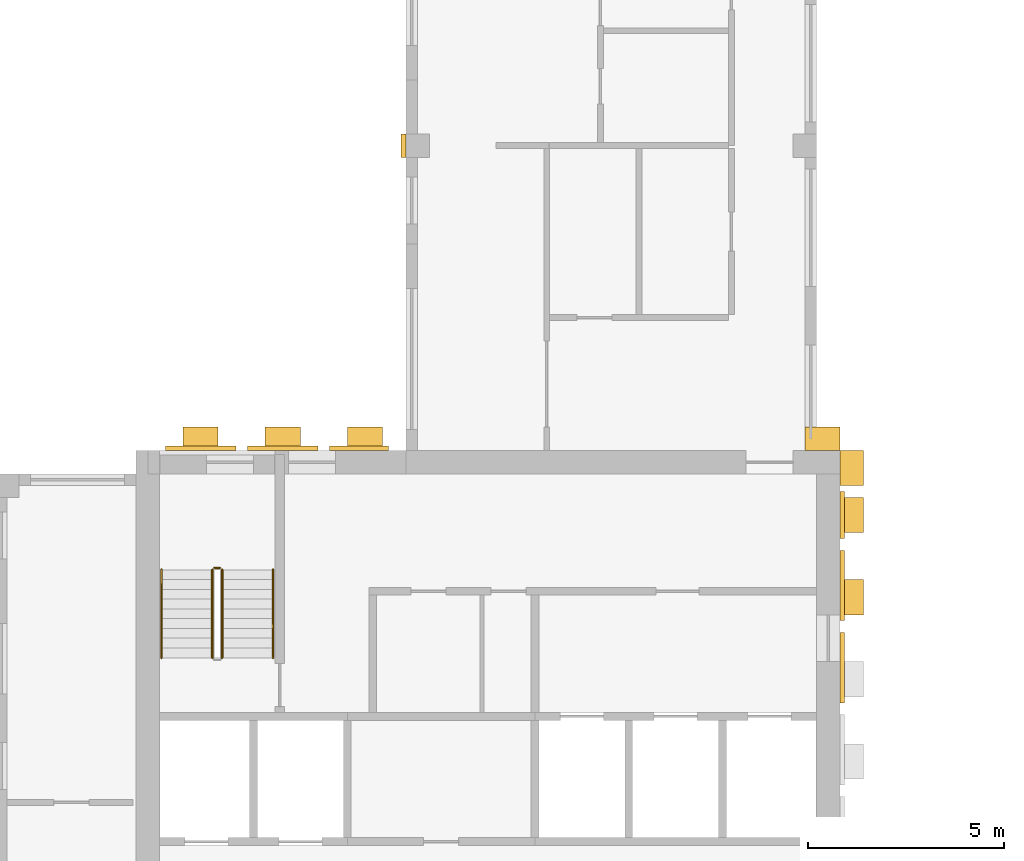
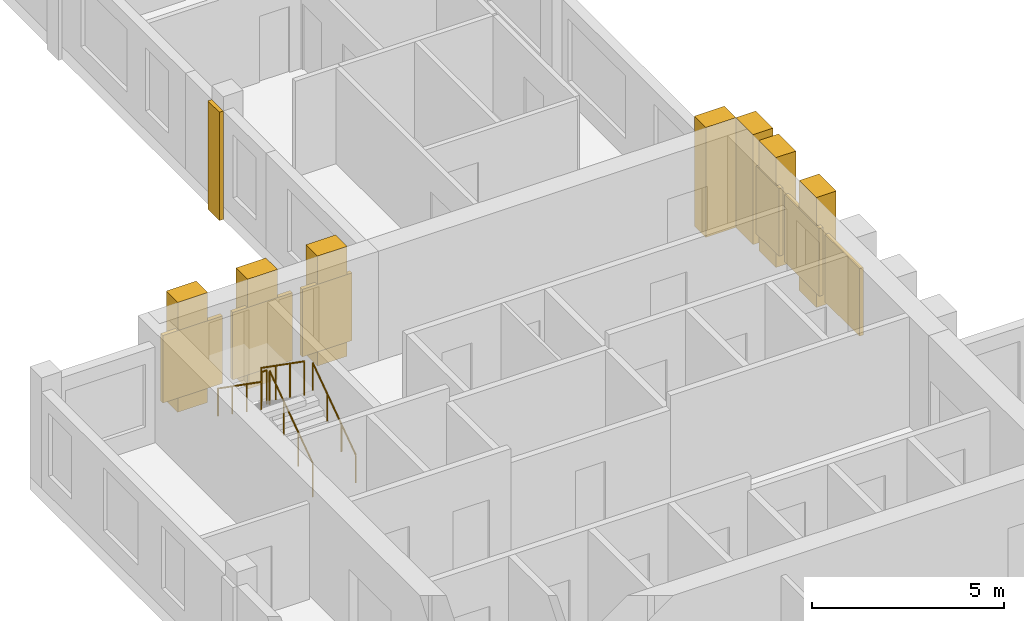
# One storey, part 8 of 10: 14 coverings, 5 railings.
"""IFC4 building model written with IfcOpenShell, lengths in metres."""

from ifc_helpers import new_model, si_unit, direction, frame, origin, origin_2d, place, context, subcontext, project, spatial, rectangle, circle, extrude, source, transform, mapped, material, type_object, element, save


model = new_model("IFC4")

# Units and contexts
model_context = context("Model", 3, precision=1e-05, world=origin(), true_north=direction((0.0, 1.0)))
body_context = subcontext(model_context, "Body", "Model", "MODEL_VIEW")
ifc_project = project(units=[si_unit("LENGTHUNIT", "METRE"), si_unit("AREAUNIT", "SQUARE_METRE"), si_unit("VOLUMEUNIT", "CUBIC_METRE"), si_unit("PLANEANGLEUNIT", "RADIAN"), si_unit("MASSUNIT", "GRAM", prefix="KILO")], contexts=[model_context])

# Site, building, storey
site_placement = place(None, origin())
site = spatial("IfcSite", under=ifc_project, at=site_placement, CompositionType="ELEMENT")
building_placement = place(site_placement, origin())
building = spatial("IfcBuilding", under=site, at=building_placement, Name="Aurelian Terraces", CompositionType="ELEMENT")
storey_placement = place(building_placement, frame((0.0, 0.0, 365.0)))
storey = spatial("IfcBuildingStorey", under=building, at=storey_placement, Name="L87", CompositionType="ELEMENT", Elevation=365.0)

# Coverings
ifc_material_1 = material(Name="Terracotta rainscreen cladding louvre blades", Category="masonry")
covering_type_1 = type_object("IfcCoveringType", Name="LOUVRE-TC", PredefinedType="CLADDING", material=ifc_material_1)
covering_1_placement = place(storey_placement, frame((21.66, 19.95, 0.45), z_axis=(0.0, 0.0, 1.0), x_axis=(1.0, 0.0, 0.0)))
element("IfcCovering", 1, at=covering_1_placement, inside=storey, type_object=covering_type_1, Name="LOUVRE L87 core face E.5", PredefinedType="CLADDING", context=body_context, shape_type="SweptSolid", body=[
    extrude(rectangle(XDim=0.12, YDim=1.2, at=origin_2d()), origin(), (0.0, 0.0, 1.0), 2.15),
])
covering_2_placement = place(storey_placement, frame((5.25, 21.66, 0.45), z_axis=(0.0, 0.0, 1.0), x_axis=(1.0, 0.0, 0.0)))
element("IfcCovering", 2, at=covering_2_placement, inside=storey, type_object=covering_type_1, Name="LOUVRE L87 core face N.1", PredefinedType="CLADDING", context=body_context, shape_type="SweptSolid", body=[
    extrude(rectangle(XDim=1.8, YDim=0.12, at=origin_2d()), origin(), (0.0, 0.0, 1.0), 2.15),
])
covering_3_placement = place(storey_placement, frame((9.3, 21.66, 0.45), z_axis=(0.0, 0.0, 1.0), x_axis=(1.0, 0.0, 0.0)))
element("IfcCovering", 3, at=covering_3_placement, inside=storey, type_object=covering_type_1, Name="LOUVRE L87 core face N.3", PredefinedType="CLADDING", context=body_context, shape_type="SweptSolid", body=[
    extrude(rectangle(XDim=1.5, YDim=0.12, at=origin_2d()), origin(), (0.0, 0.0, 1.0), 2.15),
])
shared_shape_1 = source(origin(), body_context, "Body", "SweptSolid", [
    extrude(rectangle(XDim=0.12, YDim=1.8, at=origin_2d()), origin(), (0.0, 0.0, 1.0), 2.15),
])
for number, where, z_axis, x_axis, name in (
    (4, (21.66, 16.05, 0.45), (0.0, 0.0, 1.0), (1.0, 0.0, 0.0), "LOUVRE L87 core face E.3"),
    (5, (21.66, 18.15, 0.45), (0.0, 0.0, 1.0), (1.0, 0.0, 0.0), "LOUVRE L87 core face E.4"),
):
    element("IfcCovering", number, at=place(storey_placement, frame(where, z_axis=z_axis, x_axis=x_axis)), inside=storey, type_object=covering_type_1, Name=name, PredefinedType="CLADDING", context=body_context, shape_type="MappedRepresentation", body=[
        mapped(shared_shape_1, transform((0.0, 0.0, 0.0), scale=1.0)),
    ])
shared_shape_2 = source(origin(), body_context, "Body", "SweptSolid", [
    extrude(rectangle(XDim=1.8, YDim=0.12, at=origin_2d()), origin(), (0.0, 0.0, 1.0), 2.15),
])
covering_4_placement = place(storey_placement, frame((7.35, 21.66, 0.45), z_axis=(0.0, 0.0, 1.0), x_axis=(1.0, 0.0, 0.0)))
element("IfcCovering", 6, at=covering_4_placement, inside=storey, type_object=covering_type_1, Name="LOUVRE L87 core face N.2", PredefinedType="CLADDING", context=body_context, shape_type="MappedRepresentation", body=[
    mapped(shared_shape_2, transform((0.0, 0.0, 0.0), scale=1.0)),
])
ifc_material_2 = material(Name="Terracotta rainscreen cladding relief", Category="masonry")
covering_type_2 = type_object("IfcCoveringType", Name="BAGUETTE-TC", PredefinedType="CLADDING", material=ifc_material_2)
shared_shape_3 = source(origin(), body_context, "Body", "SweptSolid", [
    extrude(rectangle(XDim=0.12, YDim=0.6, at=origin_2d()), origin(), (0.0, 0.0, 1.0), 3.45),
])
covering_5_placement = place(storey_placement, frame((10.44, 29.4, -0.4), z_axis=(0.0, 0.0, 1.0), x_axis=(1.0, 0.0, 0.0)))
element("IfcCovering", 7, at=covering_5_placement, inside=storey, type_object=covering_type_2, Name="BAGUETTE pier L87 6", PredefinedType="CLADDING", context=body_context, shape_type="MappedRepresentation", body=[
    mapped(shared_shape_3, transform((0.0, 0.0, 0.0), scale=1.0)),
])

# Railings
ifc_material_3 = material(Name="Stainless steel", Category="steel")
railing_type_1 = type_object("IfcRailingType", Name="Stair guard 1100", PredefinedType="GUARDRAIL", material=ifc_material_3)
shared_shape_4 = source(origin(), body_context, "Body", "SweptSolid", [
    extrude(circle(Radius=0.024, at=origin_2d()), frame((0.0, 0.0, 1.076), z_axis=(-1.0, 0.0, 0.0), x_axis=(0.0, -1.0, 0.0)), (0.0, 0.0, 1.0), 0.15),
    extrude(circle(Radius=0.021, at=origin_2d()), origin(), (0.0, 0.0, 1.0), 1.052),
    extrude(circle(Radius=0.021, at=origin_2d()), frame((-0.15, 0.0, 0.0)), (0.0, 0.0, 1.0), 1.052),
])
railing_1_placement = place(storey_placement, frame((5.75, 18.6, 1.75)))
element("IfcRailing", 8, at=railing_1_placement, inside=storey, type_object=railing_type_1, Name="L87 S1 stair guard 2", PredefinedType="GUARDRAIL", context=body_context, shape_type="MappedRepresentation", body=[
    mapped(shared_shape_4, transform((0.0, 0.0, 0.0), scale=1.0)),
])
shared_shape_5 = source(origin(), body_context, "Body", "SweptSolid", [
    extrude(circle(Radius=0.024, at=origin_2d()), frame((0.0, 0.0, 1.076), z_axis=(0.0, 0.819231920519, 0.573462344363), x_axis=(-1.0, 0.0, 0.0)), (0.0, 0.0, 1.0), 2.7465),
    extrude(circle(Radius=0.021, at=origin_2d()), origin(), (0.0, 0.0, 1.0), 1.052),
    extrude(circle(Radius=0.021, at=origin_2d()), frame((0.0, 0.75, 0.525)), (0.0, 0.0, 1.0), 1.052),
    extrude(circle(Radius=0.021, at=origin_2d()), frame((0.0, 1.5, 1.05)), (0.0, 0.0, 1.0), 1.052),
    extrude(circle(Radius=0.021, at=origin_2d()), frame((0.0, 2.25, 1.575)), (0.0, 0.0, 1.0), 1.052),
])
railing_2_placement = place(storey_placement, frame((5.8, 16.3, 0.175)))
element("IfcRailing", 9, at=railing_2_placement, inside=storey, type_object=railing_type_1, Name="L87 S1 stair guard 1", PredefinedType="GUARDRAIL", context=body_context, shape_type="MappedRepresentation", body=[
    mapped(shared_shape_5, transform((0.0, 0.0, 0.0), scale=1.0)),
])
shared_shape_6 = source(origin(), body_context, "Body", "SweptSolid", [
    extrude(circle(Radius=0.024, at=origin_2d()), frame((0.0, 0.0, 1.076), z_axis=(0.0, -0.819231920519, 0.573462344363), x_axis=(1.0, 0.0, 0.0)), (0.0, 0.0, 1.0), 2.7465),
    extrude(circle(Radius=0.021, at=origin_2d()), origin(), (0.0, 0.0, 1.0), 1.052),
    extrude(circle(Radius=0.021, at=origin_2d()), frame((0.0, -0.75, 0.525)), (0.0, 0.0, 1.0), 1.052),
    extrude(circle(Radius=0.021, at=origin_2d()), frame((0.0, -1.5, 1.05)), (0.0, 0.0, 1.0), 1.052),
    extrude(circle(Radius=0.021, at=origin_2d()), frame((0.0, -2.25, 1.575)), (0.0, 0.0, 1.0), 1.052),
])
railing_3_placement = place(storey_placement, frame((5.55, 18.55, 1.925)))
element("IfcRailing", 10, at=railing_3_placement, inside=storey, type_object=railing_type_1, Name="L87 S1 stair guard 3", PredefinedType="GUARDRAIL", context=body_context, shape_type="MappedRepresentation", body=[
    mapped(shared_shape_6, transform((0.0, 0.0, 0.0), scale=1.0)),
])
railing_type_2 = type_object("IfcRailingType", Name="Stair handrail", PredefinedType="HANDRAIL", material=ifc_material_3)
shared_shape_7 = source(origin(), body_context, "Body", "SweptSolid", [
    extrude(circle(Radius=0.024, at=origin_2d()), frame((0.0, 0.0, 0.876), z_axis=(0.0, 0.819231920519, 0.573462344363), x_axis=(-1.0, 0.0, 0.0)), (0.0, 0.0, 1.0), 2.7465),
    extrude(circle(Radius=0.021, at=origin_2d()), origin(), (0.0, 0.0, 1.0), 0.852),
    extrude(circle(Radius=0.021, at=origin_2d()), frame((0.0, 0.75, 0.525)), (0.0, 0.0, 1.0), 0.852),
    extrude(circle(Radius=0.021, at=origin_2d()), frame((0.0, 1.5, 1.05)), (0.0, 0.0, 1.0), 0.852),
    extrude(circle(Radius=0.021, at=origin_2d()), frame((0.0, 2.25, 1.575)), (0.0, 0.0, 1.0), 0.852),
])
railing_4_placement = place(storey_placement, frame((7.1, 16.3, 0.175)))
element("IfcRailing", 11, at=railing_4_placement, inside=storey, type_object=railing_type_2, Name="L87 S1 stair handrail 1", PredefinedType="HANDRAIL", context=body_context, shape_type="MappedRepresentation", body=[
    mapped(shared_shape_7, transform((0.0, 0.0, 0.0), scale=1.0)),
])
shared_shape_8 = source(origin(), body_context, "Body", "SweptSolid", [
    extrude(circle(Radius=0.024, at=origin_2d()), frame((0.0, 0.0, 0.876), z_axis=(0.0, -0.819231920519, 0.573462344363), x_axis=(1.0, 0.0, 0.0)), (0.0, 0.0, 1.0), 2.7465),
    extrude(circle(Radius=0.021, at=origin_2d()), origin(), (0.0, 0.0, 1.0), 0.852),
    extrude(circle(Radius=0.021, at=origin_2d()), frame((0.0, -0.75, 0.525)), (0.0, 0.0, 1.0), 0.852),
    extrude(circle(Radius=0.021, at=origin_2d()), frame((0.0, -1.5, 1.05)), (0.0, 0.0, 1.0), 0.852),
    extrude(circle(Radius=0.021, at=origin_2d()), frame((0.0, -2.25, 1.575)), (0.0, 0.0, 1.0), 0.852),
])
railing_5_placement = place(storey_placement, frame((4.25, 18.55, 1.925)))
element("IfcRailing", 12, at=railing_5_placement, inside=storey, type_object=railing_type_2, Name="L87 S1 stair handrail 2", PredefinedType="HANDRAIL", context=body_context, shape_type="MappedRepresentation", body=[
    mapped(shared_shape_8, transform((0.0, 0.0, 0.0), scale=1.0)),
])

# Coverings
covering_type_3 = type_object("IfcCoveringType", Name="Core spine pier 900x600", PredefinedType="CLADDING", material=ifc_material_2)
shared_shape_9 = source(origin(), body_context, "Body", "SweptSolid", [
    extrude(rectangle(XDim=0.6, YDim=0.9, at=origin_2d()), origin(), (0.0, 0.0, 1.0), 3.5),
])
for number, where, z_axis, x_axis, name in (
    (13, (21.9, 17.85, 0.0), (0.0, 0.0, 1.0), (1.0, 0.0, 0.0), "Spine pier L87 E4"),
    (14, (21.9, 19.95, 0.0), (0.0, 0.0, 1.0), (1.0, 0.0, 0.0), "Spine pier L87 E5"),
    (15, (21.9, 21.15, 0.0), (0.0, 0.0, 1.0), (1.0, 0.0, 0.0), "Spine pier L87 corner east"),
):
    element("IfcCovering", number, at=place(storey_placement, frame(where, z_axis=z_axis, x_axis=x_axis)), inside=storey, type_object=covering_type_3, Name=name, PredefinedType="CLADDING", context=body_context, shape_type="MappedRepresentation", body=[
        mapped(shared_shape_9, transform((0.0, 0.0, 0.0), scale=1.0)),
    ])
shared_shape_10 = source(origin(), body_context, "Body", "SweptSolid", [
    extrude(rectangle(XDim=0.9, YDim=0.6, at=origin_2d()), origin(), (0.0, 0.0, 1.0), 3.5),
])
for number, where, z_axis, x_axis, name in (
    (16, (5.25, 21.9, 0.0), (0.0, 0.0, 1.0), (1.0, 0.0, 0.0), "Spine pier L87 N6"),
    (17, (7.35, 21.9, 0.0), (0.0, 0.0, 1.0), (1.0, 0.0, 0.0), "Spine pier L87 N7"),
    (18, (9.45, 21.9, 0.0), (0.0, 0.0, 1.0), (1.0, 0.0, 0.0), "Spine pier L87 N8"),
    (19, (21.15, 21.9, 0.0), (0.0, 0.0, 1.0), (1.0, 0.0, 0.0), "Spine pier L87 corner north"),
):
    element("IfcCovering", number, at=place(storey_placement, frame(where, z_axis=z_axis, x_axis=x_axis)), inside=storey, type_object=covering_type_3, Name=name, PredefinedType="CLADDING", context=body_context, shape_type="MappedRepresentation", body=[
        mapped(shared_shape_10, transform((0.0, 0.0, 0.0), scale=1.0)),
    ])

save(model, "model.ifc")
